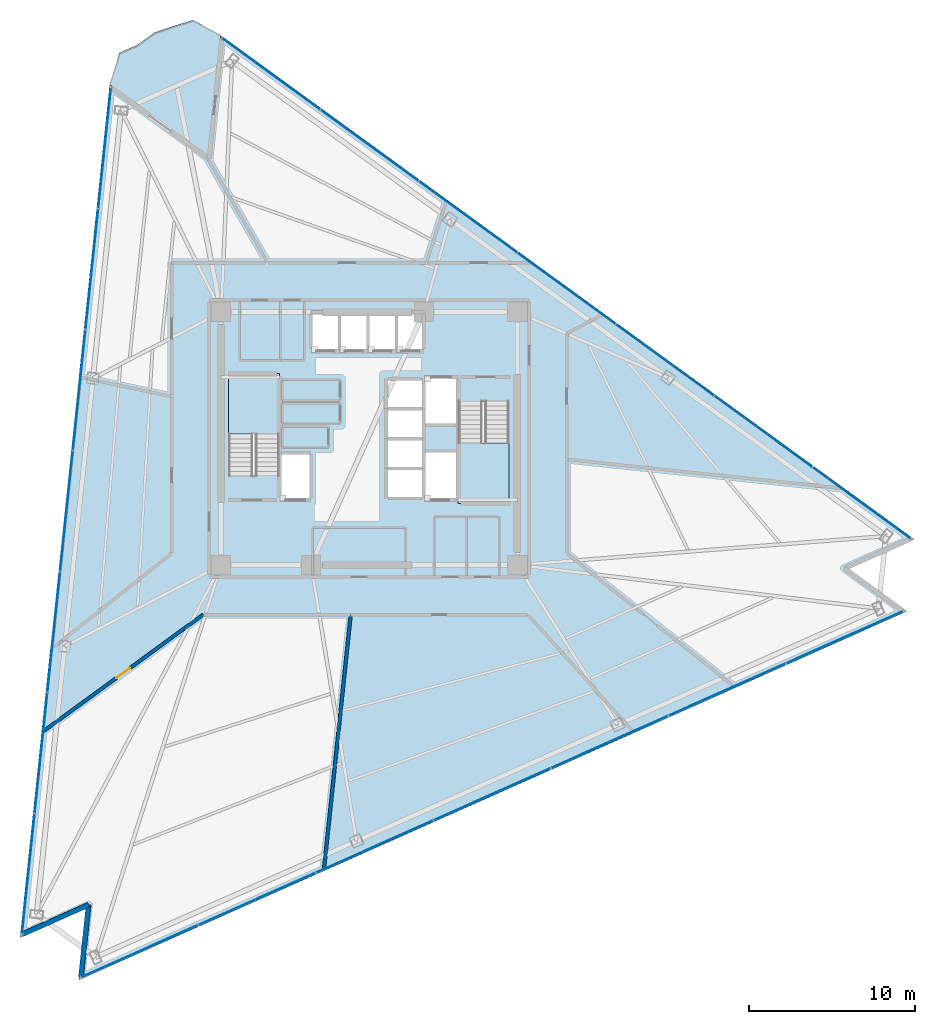
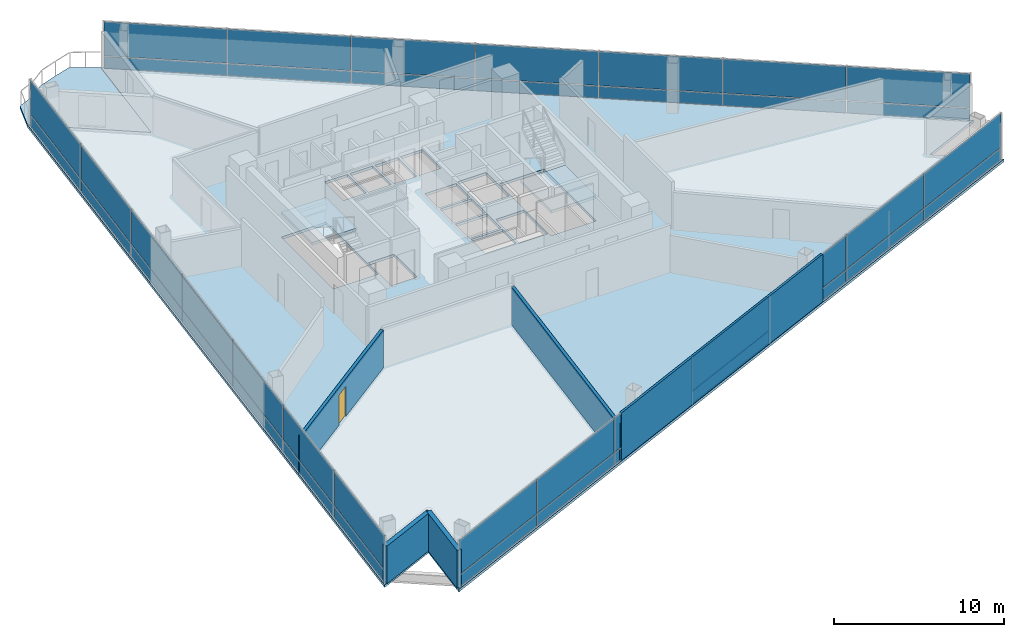
# One storey, part 10 of 19: 42 plates, 5 walls, 4 slabs, 1 door, 1 opening, 5 elements without a shape of their own.
"""IFC4 building model written with IfcOpenShell, lengths in metres."""

from ifc_helpers import new_model, si_unit, direction, frame, frame_2d, origin, origin_2d, place, context, subcontext, project, spatial, polyline, rectangle, outline, extrude, material, layer, layer_set, type_object, element, fill, aggregate, save


model = new_model("IFC4")

# Units and contexts
model_context = context("Model", 3, precision=1e-05, world=origin(), true_north=direction((0.0, 1.0)))
body_context = subcontext(model_context, "Body", "Model", "MODEL_VIEW")
ifc_project = project(units=[si_unit("LENGTHUNIT", "METRE"), si_unit("AREAUNIT", "SQUARE_METRE"), si_unit("VOLUMEUNIT", "CUBIC_METRE"), si_unit("PLANEANGLEUNIT", "RADIAN"), si_unit("MASSUNIT", "GRAM", prefix="KILO")], contexts=[model_context])

# Site, building, storey
site_placement = place(None, origin())
site = spatial("IfcSite", under=ifc_project, at=site_placement, CompositionType="ELEMENT")
building_placement = place(site_placement, origin())
building = spatial("IfcBuilding", under=site, at=building_placement, Name="Tharavind Bronze Gate", CompositionType="ELEMENT")
storey_placement = place(building_placement, frame((0.0, 0.0, 116.050048828125)))
storey = spatial("IfcBuildingStorey", under=building, at=storey_placement, Name="L29", CompositionType="ELEMENT", Elevation=116.050048828125)

# Curtain wall, plates
ifc_material_1 = material(Name="Anodised Bronze Aluminium", Category="aluminium")
ifc_layer_1 = layer(ifc_material_1, 0.219970703125)
ifc_layer_set_1 = layer_set([ifc_layer_1], Name="Anodised Bronze Aluminium")
curtain_wall_type = type_object("IfcCurtainWallType", Name="UNITISED CURTAIN WALL LOWER OFFICE", PredefinedType="USERDEFINED", material=ifc_layer_set_1)
curtain_wall_1_placement = place(storey_placement, origin())
curtain_wall_1 = element("IfcCurtainWall", 1, at=curtain_wall_1_placement, inside=storey, type_object=curtain_wall_type, Name="L29 unitised curtain wall lower office CW-L29-S1", ObjectType="UNITISED CURTAIN WALL", PredefinedType="USERDEFINED")
ifc_material_2 = material(Name="Patinated Bronze Alloy Sheet", Category="bronze")
ifc_layer_2 = layer(ifc_material_2, 0.01611328125)
ifc_layer_set_2 = layer_set([ifc_layer_2], Name="Patinated Bronze Alloy Sheet")
plate_type_1 = type_object("IfcPlateType", Name="BRONZE SPANDREL CLADDING PANEL 16", PredefinedType="CURTAIN_PANEL", material=ifc_layer_set_2)
plate_1_placement = place(storey_placement, frame((-15.909912109375, 17.465087890625, 0.0263671875), z_axis=(0.0, 0.0, 1.0), x_axis=(-0.104526727499, -0.994522077803, 0.0)))
plate_1 = element("IfcPlate", 2, at=plate_1_placement, type_object=plate_type_1, Name="CW-L29-S1 bronze spandrel panel 1", PredefinedType="CURTAIN_PANEL", context=body_context, shape_type="SweptSolid", body=[
    extrude(rectangle(XDim=7.26025390625, YDim=0.01611328125, at=origin_2d()), origin(), (0.0, 0.0, 1.0), 0.846923828125),
])
plate_2_placement = place(storey_placement, frame((-16.67431640625, 10.19189453125, 0.0263671875), z_axis=(0.0, 0.0, 1.0), x_axis=(-0.104526727499, -0.994522077803, 0.0)))
plate_2 = element("IfcPlate", 3, at=plate_2_placement, type_object=plate_type_1, Name="CW-L29-S1 bronze spandrel panel 2", PredefinedType="CURTAIN_PANEL", context=body_context, shape_type="SweptSolid", body=[
    extrude(rectangle(XDim=7.26025390625, YDim=0.01611328125, at=origin_2d()), origin(), (0.0, 0.0, 1.0), 0.846923828125),
])
plate_3_placement = place(storey_placement, frame((-17.438720703125, 2.91845703125, 0.0263671875), z_axis=(0.0, 0.0, 1.0), x_axis=(-0.104526727499, -0.994522077803, 0.0)))
plate_3 = element("IfcPlate", 4, at=plate_3_placement, type_object=plate_type_1, Name="CW-L29-S1 bronze spandrel panel 3", PredefinedType="CURTAIN_PANEL", context=body_context, shape_type="SweptSolid", body=[
    extrude(rectangle(XDim=7.26025390625, YDim=0.01611328125, at=origin_2d()), origin(), (0.0, 0.0, 1.0), 0.846923828125),
])
plate_4_placement = place(storey_placement, frame((-18.203125, -4.354736328125, 0.0263671875), z_axis=(0.0, 0.0, 1.0), x_axis=(-0.104526727499, -0.994522077803, 0.0)))
plate_4 = element("IfcPlate", 5, at=plate_4_placement, type_object=plate_type_1, Name="CW-L29-S1 bronze spandrel panel 4", PredefinedType="CURTAIN_PANEL", context=body_context, shape_type="SweptSolid", body=[
    extrude(rectangle(XDim=7.26025390625, YDim=0.01611328125, at=origin_2d()), origin(), (0.0, 0.0, 1.0), 0.846923828125),
])
plate_5_placement = place(storey_placement, frame((-18.967529296875, -11.628173828125, 0.0263671875), z_axis=(0.0, 0.0, 1.0), x_axis=(-0.104526727499, -0.994522077803, 0.0)))
plate_5 = element("IfcPlate", 6, at=plate_5_placement, type_object=plate_type_1, Name="CW-L29-S1 bronze spandrel panel 5", PredefinedType="CURTAIN_PANEL", context=body_context, shape_type="SweptSolid", body=[
    extrude(rectangle(XDim=7.26025390625, YDim=0.01611328125, at=origin_2d()), origin(), (0.0, 0.0, 1.0), 0.846923828125),
])
plate_6_placement = place(storey_placement, frame((-19.73193359375, -18.9013671875, 0.0263671875), z_axis=(0.0, 0.0, 1.0), x_axis=(-0.104526727499, -0.994522077803, 0.0)))
plate_6 = element("IfcPlate", 7, at=plate_6_placement, type_object=plate_type_1, Name="CW-L29-S1 bronze spandrel panel 6", PredefinedType="CURTAIN_PANEL", context=body_context, shape_type="SweptSolid", body=[
    extrude(rectangle(XDim=7.26025390625, YDim=0.01611328125, at=origin_2d()), origin(), (0.0, 0.0, 1.0), 0.846923828125),
])
plate_7_placement = place(storey_placement, frame((-20.49658203125, -26.1748046875, 0.0263671875), z_axis=(0.0, 0.0, 1.0), x_axis=(-0.104526727499, -0.994522077803, 0.0)))
plate_7 = element("IfcPlate", 8, at=plate_7_placement, type_object=plate_type_1, Name="CW-L29-S1 bronze spandrel panel 7", PredefinedType="CURTAIN_PANEL", context=body_context, shape_type="SweptSolid", body=[
    extrude(rectangle(XDim=7.26025390625, YDim=0.01611328125, at=origin_2d()), origin(), (0.0, 0.0, 1.0), 0.846923828125),
])

curtain_wall_2_placement = place(storey_placement, origin())
curtain_wall_2 = element("IfcCurtainWall", 9, at=curtain_wall_2_placement, inside=storey, type_object=curtain_wall_type, Name="L29 unitised curtain wall lower office CW-L29-S2", ObjectType="UNITISED CURTAIN WALL", PredefinedType="USERDEFINED")
plate_8_placement = place(storey_placement, frame((-13.80419921875, -30.813720703125, 0.0263671875), z_axis=(0.0, 0.0, 1.0), x_axis=(0.913545457643, 0.406736643076, 0.0)))
plate_8 = element("IfcPlate", 10, at=plate_8_placement, type_object=plate_type_1, Name="CW-L29-S2 bronze spandrel panel 1", PredefinedType="CURTAIN_PANEL", context=body_context, shape_type="SweptSolid", body=[
    extrude(rectangle(XDim=7.677490234375, YDim=0.01611328125, at=origin_2d()), origin(), (0.0, 0.0, 1.0), 0.846923828125),
])
plate_9_placement = place(storey_placement, frame((-6.741943359375, -27.66943359375, 0.0263671875), z_axis=(0.0, 0.0, 1.0), x_axis=(0.913545457643, 0.406736643076, 0.0)))
plate_9 = element("IfcPlate", 11, at=plate_9_placement, type_object=plate_type_1, Name="CW-L29-S2 bronze spandrel panel 2", PredefinedType="CURTAIN_PANEL", context=body_context, shape_type="SweptSolid", body=[
    extrude(rectangle(XDim=7.677490234375, YDim=0.01611328125, at=origin_2d()), origin(), (0.0, 0.0, 1.0), 0.846923828125),
])
plate_10_placement = place(storey_placement, frame((0.3203125, -24.525146484375, 0.0263671875), z_axis=(0.0, 0.0, 1.0), x_axis=(0.913545457643, 0.406736643076, 0.0)))
plate_10 = element("IfcPlate", 12, at=plate_10_placement, type_object=plate_type_1, Name="CW-L29-S2 bronze spandrel panel 3", PredefinedType="CURTAIN_PANEL", context=body_context, shape_type="SweptSolid", body=[
    extrude(rectangle(XDim=7.677490234375, YDim=0.01611328125, at=origin_2d()), origin(), (0.0, 0.0, 1.0), 0.846923828125),
])
plate_11_placement = place(storey_placement, frame((7.38232421875, -21.380859375, 0.0263671875), z_axis=(0.0, 0.0, 1.0), x_axis=(0.913545457643, 0.406736643076, 0.0)))
plate_11 = element("IfcPlate", 13, at=plate_11_placement, type_object=plate_type_1, Name="CW-L29-S2 bronze spandrel panel 4", PredefinedType="CURTAIN_PANEL", context=body_context, shape_type="SweptSolid", body=[
    extrude(rectangle(XDim=7.677490234375, YDim=0.01611328125, at=origin_2d()), origin(), (0.0, 0.0, 1.0), 0.846923828125),
])
plate_12_placement = place(storey_placement, frame((14.4443359375, -18.236572265625, 0.0263671875), z_axis=(0.0, 0.0, 1.0), x_axis=(0.913545457643, 0.406736643076, 0.0)))
plate_12 = element("IfcPlate", 14, at=plate_12_placement, type_object=plate_type_1, Name="CW-L29-S2 bronze spandrel panel 5", PredefinedType="CURTAIN_PANEL", context=body_context, shape_type="SweptSolid", body=[
    extrude(rectangle(XDim=7.677490234375, YDim=0.01611328125, at=origin_2d()), origin(), (0.0, 0.0, 1.0), 0.846923828125),
])
plate_13_placement = place(storey_placement, frame((21.506591796875, -15.09228515625, 0.0263671875), z_axis=(0.0, 0.0, 1.0), x_axis=(0.913545457643, 0.406736643076, 0.0)))
plate_13 = element("IfcPlate", 15, at=plate_13_placement, type_object=plate_type_1, Name="CW-L29-S2 bronze spandrel panel 6", PredefinedType="CURTAIN_PANEL", context=body_context, shape_type="SweptSolid", body=[
    extrude(rectangle(XDim=7.677490234375, YDim=0.01611328125, at=origin_2d()), origin(), (0.0, 0.0, 1.0), 0.846923828125),
])
plate_14_placement = place(storey_placement, frame((28.568603515625, -11.947998046875, 0.0263671875), z_axis=(0.0, 0.0, 1.0), x_axis=(0.913545457643, 0.406736643076, 0.0)))
plate_14 = element("IfcPlate", 16, at=plate_14_placement, type_object=plate_type_1, Name="CW-L29-S2 bronze spandrel panel 7", PredefinedType="CURTAIN_PANEL", context=body_context, shape_type="SweptSolid", body=[
    extrude(rectangle(XDim=7.677490234375, YDim=0.01611328125, at=origin_2d()), origin(), (0.0, 0.0, 1.0), 0.846923828125),
])

curtain_wall_3_placement = place(storey_placement, origin())
curtain_wall_3 = element("IfcCurtainWall", 17, at=curtain_wall_3_placement, inside=storey, type_object=curtain_wall_type, Name="L29 unitised curtain wall lower office CW-L29-S3", ObjectType="UNITISED CURTAIN WALL", PredefinedType="USERDEFINED")
plate_15_placement = place(storey_placement, frame((29.599365234375, -3.87060546875, 0.0263671875), z_axis=(0.0, 0.0, 1.0), x_axis=(-0.809016994375, 0.587785252292, 0.0)))
plate_15 = element("IfcPlate", 18, at=plate_15_placement, type_object=plate_type_1, Name="CW-L29-S3 bronze spandrel panel 1", PredefinedType="CURTAIN_PANEL", context=body_context, shape_type="SweptSolid", body=[
    extrude(rectangle(XDim=7.260498046875, YDim=0.01611328125, at=origin_2d()), origin(), (0.0, 0.0, 1.0), 0.846923828125),
])
plate_16_placement = place(storey_placement, frame((23.6826171875, 0.427978515625, 0.0263671875), z_axis=(0.0, 0.0, 1.0), x_axis=(-0.809016994375, 0.587785252292, 0.0)))
plate_16 = element("IfcPlate", 19, at=plate_16_placement, type_object=plate_type_1, Name="CW-L29-S3 bronze spandrel panel 2", PredefinedType="CURTAIN_PANEL", context=body_context, shape_type="SweptSolid", body=[
    extrude(rectangle(XDim=7.260498046875, YDim=0.01611328125, at=origin_2d()), origin(), (0.0, 0.0, 1.0), 0.846923828125),
])
plate_17_placement = place(storey_placement, frame((17.76611328125, 4.726806640625, 0.0263671875), z_axis=(0.0, 0.0, 1.0), x_axis=(-0.809016994375, 0.587785252292, 0.0)))
plate_17 = element("IfcPlate", 20, at=plate_17_placement, type_object=plate_type_1, Name="CW-L29-S3 bronze spandrel panel 3", PredefinedType="CURTAIN_PANEL", context=body_context, shape_type="SweptSolid", body=[
    extrude(rectangle(XDim=7.260498046875, YDim=0.01611328125, at=origin_2d()), origin(), (0.0, 0.0, 1.0), 0.846923828125),
])
plate_18_placement = place(storey_placement, frame((11.849365234375, 9.025390625, 0.0263671875), z_axis=(0.0, 0.0, 1.0), x_axis=(-0.809016994375, 0.587785252292, 0.0)))
plate_18 = element("IfcPlate", 21, at=plate_18_placement, type_object=plate_type_1, Name="CW-L29-S3 bronze spandrel panel 4", PredefinedType="CURTAIN_PANEL", context=body_context, shape_type="SweptSolid", body=[
    extrude(rectangle(XDim=7.260498046875, YDim=0.01611328125, at=origin_2d()), origin(), (0.0, 0.0, 1.0), 0.846923828125),
])
plate_19_placement = place(storey_placement, frame((5.932861328125, 13.32421875, 0.0263671875), z_axis=(0.0, 0.0, 1.0), x_axis=(-0.809016994375, 0.587785252292, 0.0)))
plate_19 = element("IfcPlate", 22, at=plate_19_placement, type_object=plate_type_1, Name="CW-L29-S3 bronze spandrel panel 5", PredefinedType="CURTAIN_PANEL", context=body_context, shape_type="SweptSolid", body=[
    extrude(rectangle(XDim=7.260498046875, YDim=0.01611328125, at=origin_2d()), origin(), (0.0, 0.0, 1.0), 0.846923828125),
])
plate_20_placement = place(storey_placement, frame((0.01611328125, 17.622802734375, 0.0263671875), z_axis=(0.0, 0.0, 1.0), x_axis=(-0.809016994375, 0.587785252292, 0.0)))
plate_20 = element("IfcPlate", 23, at=plate_20_placement, type_object=plate_type_1, Name="CW-L29-S3 bronze spandrel panel 6", PredefinedType="CURTAIN_PANEL", context=body_context, shape_type="SweptSolid", body=[
    extrude(rectangle(XDim=7.260498046875, YDim=0.01611328125, at=origin_2d()), origin(), (0.0, 0.0, 1.0), 0.846923828125),
])
plate_21_placement = place(storey_placement, frame((-5.900390625, 21.921630859375, 0.0263671875), z_axis=(0.0, 0.0, 1.0), x_axis=(-0.809016994375, 0.587785252292, 0.0)))
plate_21 = element("IfcPlate", 24, at=plate_21_placement, type_object=plate_type_1, Name="CW-L29-S3 bronze spandrel panel 7", PredefinedType="CURTAIN_PANEL", context=body_context, shape_type="SweptSolid", body=[
    extrude(rectangle(XDim=7.260498046875, YDim=0.01611328125, at=origin_2d()), origin(), (0.0, 0.0, 1.0), 0.846923828125),
])

# Plate
ifc_material_3 = material(Name="Low-E Double Glazing", Category="glass")
ifc_layer_3 = layer(ifc_material_3, 0.031982421875)
ifc_layer_set_3 = layer_set([ifc_layer_3], Name="Low-E Double Glazing")
plate_type_2 = type_object("IfcPlateType", Name="DOUBLE GLAZED FACADE PANEL 32", PredefinedType="CURTAIN_PANEL", material=ifc_layer_set_3)
plate_22_placement = place(storey_placement, frame((-15.909912109375, 17.465087890625, 0.926513671875), z_axis=(0.0, 0.0, 1.0), x_axis=(-0.104526727499, -0.994522077803, 0.0)))
plate_22 = element("IfcPlate", 25, at=plate_22_placement, type_object=plate_type_2, Name="CW-L29-S1 vision glazing panel 1", PredefinedType="CURTAIN_PANEL", context=body_context, shape_type="SweptSolid", body=[
    extrude(rectangle(XDim=7.26025390625, YDim=0.031982421875, at=origin_2d()), origin(), (0.0, 0.0, 1.0), 2.45703125),
])

plate_23_placement = place(storey_placement, frame((-16.67431640625, 10.19189453125, 0.926513671875), z_axis=(0.0, 0.0, 1.0), x_axis=(-0.104526727499, -0.994522077803, 0.0)))
plate_23 = element("IfcPlate", 26, at=plate_23_placement, type_object=plate_type_2, Name="CW-L29-S1 vision glazing panel 2", PredefinedType="CURTAIN_PANEL", context=body_context, shape_type="SweptSolid", body=[
    extrude(rectangle(XDim=7.26025390625, YDim=0.031982421875, at=origin_2d()), origin(), (0.0, 0.0, 1.0), 2.45703125),
])

plate_24_placement = place(storey_placement, frame((-17.438720703125, 2.91845703125, 0.926513671875), z_axis=(0.0, 0.0, 1.0), x_axis=(-0.104526727499, -0.994522077803, 0.0)))
plate_24 = element("IfcPlate", 27, at=plate_24_placement, type_object=plate_type_2, Name="CW-L29-S1 vision glazing panel 3", PredefinedType="CURTAIN_PANEL", context=body_context, shape_type="SweptSolid", body=[
    extrude(rectangle(XDim=7.26025390625, YDim=0.031982421875, at=origin_2d()), origin(), (0.0, 0.0, 1.0), 2.45703125),
])

plate_25_placement = place(storey_placement, frame((-18.203125, -4.354736328125, 0.926513671875), z_axis=(0.0, 0.0, 1.0), x_axis=(-0.104526727499, -0.994522077803, 0.0)))
plate_25 = element("IfcPlate", 28, at=plate_25_placement, type_object=plate_type_2, Name="CW-L29-S1 vision glazing panel 4", PredefinedType="CURTAIN_PANEL", context=body_context, shape_type="SweptSolid", body=[
    extrude(rectangle(XDim=7.26025390625, YDim=0.031982421875, at=origin_2d()), origin(), (0.0, 0.0, 1.0), 2.45703125),
])

plate_26_placement = place(storey_placement, frame((-18.967529296875, -11.628173828125, 0.926513671875), z_axis=(0.0, 0.0, 1.0), x_axis=(-0.104526727499, -0.994522077803, 0.0)))
plate_26 = element("IfcPlate", 29, at=plate_26_placement, type_object=plate_type_2, Name="CW-L29-S1 vision glazing panel 5", PredefinedType="CURTAIN_PANEL", context=body_context, shape_type="SweptSolid", body=[
    extrude(rectangle(XDim=7.26025390625, YDim=0.031982421875, at=origin_2d()), origin(), (0.0, 0.0, 1.0), 2.45703125),
])

plate_27_placement = place(storey_placement, frame((-19.73193359375, -18.9013671875, 0.926513671875), z_axis=(0.0, 0.0, 1.0), x_axis=(-0.104526727499, -0.994522077803, 0.0)))
plate_27 = element("IfcPlate", 30, at=plate_27_placement, type_object=plate_type_2, Name="CW-L29-S1 vision glazing panel 6", PredefinedType="CURTAIN_PANEL", context=body_context, shape_type="SweptSolid", body=[
    extrude(rectangle(XDim=7.26025390625, YDim=0.031982421875, at=origin_2d()), origin(), (0.0, 0.0, 1.0), 2.45703125),
])

plate_28_placement = place(storey_placement, frame((-20.49658203125, -26.1748046875, 0.926513671875), z_axis=(0.0, 0.0, 1.0), x_axis=(-0.104526727499, -0.994522077803, 0.0)))
plate_28 = element("IfcPlate", 31, at=plate_28_placement, type_object=plate_type_2, Name="CW-L29-S1 vision glazing panel 7", PredefinedType="CURTAIN_PANEL", context=body_context, shape_type="SweptSolid", body=[
    extrude(rectangle(XDim=7.26025390625, YDim=0.031982421875, at=origin_2d()), origin(), (0.0, 0.0, 1.0), 2.45703125),
])

aggregate(curtain_wall_1, [plate_1, plate_22, plate_2, plate_23, plate_3, plate_24, plate_4, plate_25, plate_5, plate_26, plate_6, plate_27, plate_7, plate_28])

plate_29_placement = place(storey_placement, frame((-13.80419921875, -30.813720703125, 0.926513671875), z_axis=(0.0, 0.0, 1.0), x_axis=(0.913545457643, 0.406736643076, 0.0)))
plate_29 = element("IfcPlate", 32, at=plate_29_placement, type_object=plate_type_2, Name="CW-L29-S2 vision glazing panel 1", PredefinedType="CURTAIN_PANEL", context=body_context, shape_type="SweptSolid", body=[
    extrude(rectangle(XDim=7.677490234375, YDim=0.031982421875, at=origin_2d()), origin(), (0.0, 0.0, 1.0), 2.45703125),
])

plate_30_placement = place(storey_placement, frame((-6.741943359375, -27.66943359375, 0.926513671875), z_axis=(0.0, 0.0, 1.0), x_axis=(0.913545457643, 0.406736643076, 0.0)))
plate_30 = element("IfcPlate", 33, at=plate_30_placement, type_object=plate_type_2, Name="CW-L29-S2 vision glazing panel 2", PredefinedType="CURTAIN_PANEL", context=body_context, shape_type="SweptSolid", body=[
    extrude(rectangle(XDim=7.677490234375, YDim=0.031982421875, at=origin_2d()), origin(), (0.0, 0.0, 1.0), 2.45703125),
])

plate_31_placement = place(storey_placement, frame((0.3203125, -24.525146484375, 0.926513671875), z_axis=(0.0, 0.0, 1.0), x_axis=(0.913545457643, 0.406736643076, 0.0)))
plate_31 = element("IfcPlate", 34, at=plate_31_placement, type_object=plate_type_2, Name="CW-L29-S2 vision glazing panel 3", PredefinedType="CURTAIN_PANEL", context=body_context, shape_type="SweptSolid", body=[
    extrude(rectangle(XDim=7.677490234375, YDim=0.031982421875, at=origin_2d()), origin(), (0.0, 0.0, 1.0), 2.45703125),
])

plate_32_placement = place(storey_placement, frame((7.38232421875, -21.380859375, 0.926513671875), z_axis=(0.0, 0.0, 1.0), x_axis=(0.913545457643, 0.406736643076, 0.0)))
plate_32 = element("IfcPlate", 35, at=plate_32_placement, type_object=plate_type_2, Name="CW-L29-S2 vision glazing panel 4", PredefinedType="CURTAIN_PANEL", context=body_context, shape_type="SweptSolid", body=[
    extrude(rectangle(XDim=7.677490234375, YDim=0.031982421875, at=origin_2d()), origin(), (0.0, 0.0, 1.0), 2.45703125),
])

plate_33_placement = place(storey_placement, frame((14.4443359375, -18.236572265625, 0.926513671875), z_axis=(0.0, 0.0, 1.0), x_axis=(0.913545457643, 0.406736643076, 0.0)))
plate_33 = element("IfcPlate", 36, at=plate_33_placement, type_object=plate_type_2, Name="CW-L29-S2 vision glazing panel 5", PredefinedType="CURTAIN_PANEL", context=body_context, shape_type="SweptSolid", body=[
    extrude(rectangle(XDim=7.677490234375, YDim=0.031982421875, at=origin_2d()), origin(), (0.0, 0.0, 1.0), 2.45703125),
])

plate_34_placement = place(storey_placement, frame((21.506591796875, -15.09228515625, 0.926513671875), z_axis=(0.0, 0.0, 1.0), x_axis=(0.913545457643, 0.406736643076, 0.0)))
plate_34 = element("IfcPlate", 37, at=plate_34_placement, type_object=plate_type_2, Name="CW-L29-S2 vision glazing panel 6", PredefinedType="CURTAIN_PANEL", context=body_context, shape_type="SweptSolid", body=[
    extrude(rectangle(XDim=7.677490234375, YDim=0.031982421875, at=origin_2d()), origin(), (0.0, 0.0, 1.0), 2.45703125),
])

plate_35_placement = place(storey_placement, frame((28.568603515625, -11.947998046875, 0.926513671875), z_axis=(0.0, 0.0, 1.0), x_axis=(0.913545457643, 0.406736643076, 0.0)))
plate_35 = element("IfcPlate", 38, at=plate_35_placement, type_object=plate_type_2, Name="CW-L29-S2 vision glazing panel 7", PredefinedType="CURTAIN_PANEL", context=body_context, shape_type="SweptSolid", body=[
    extrude(rectangle(XDim=7.677490234375, YDim=0.031982421875, at=origin_2d()), origin(), (0.0, 0.0, 1.0), 2.45703125),
])

aggregate(curtain_wall_2, [plate_8, plate_29, plate_9, plate_30, plate_10, plate_31, plate_11, plate_32, plate_12, plate_33, plate_13, plate_34, plate_14, plate_35])

plate_36_placement = place(storey_placement, frame((29.599365234375, -3.87060546875, 0.926513671875), z_axis=(0.0, 0.0, 1.0), x_axis=(-0.809016994375, 0.587785252292, 0.0)))
plate_36 = element("IfcPlate", 39, at=plate_36_placement, type_object=plate_type_2, Name="CW-L29-S3 vision glazing panel 1", PredefinedType="CURTAIN_PANEL", context=body_context, shape_type="SweptSolid", body=[
    extrude(rectangle(XDim=7.260498046875, YDim=0.031982421875, at=origin_2d()), origin(), (0.0, 0.0, 1.0), 2.45703125),
])

plate_37_placement = place(storey_placement, frame((23.6826171875, 0.427978515625, 0.926513671875), z_axis=(0.0, 0.0, 1.0), x_axis=(-0.809016994375, 0.587785252292, 0.0)))
plate_37 = element("IfcPlate", 40, at=plate_37_placement, type_object=plate_type_2, Name="CW-L29-S3 vision glazing panel 2", PredefinedType="CURTAIN_PANEL", context=body_context, shape_type="SweptSolid", body=[
    extrude(rectangle(XDim=7.260498046875, YDim=0.031982421875, at=origin_2d()), origin(), (0.0, 0.0, 1.0), 2.45703125),
])

plate_38_placement = place(storey_placement, frame((17.76611328125, 4.726806640625, 0.926513671875), z_axis=(0.0, 0.0, 1.0), x_axis=(-0.809016994375, 0.587785252292, 0.0)))
plate_38 = element("IfcPlate", 41, at=plate_38_placement, type_object=plate_type_2, Name="CW-L29-S3 vision glazing panel 3", PredefinedType="CURTAIN_PANEL", context=body_context, shape_type="SweptSolid", body=[
    extrude(rectangle(XDim=7.260498046875, YDim=0.031982421875, at=origin_2d()), origin(), (0.0, 0.0, 1.0), 2.45703125),
])

plate_39_placement = place(storey_placement, frame((11.849365234375, 9.025390625, 0.926513671875), z_axis=(0.0, 0.0, 1.0), x_axis=(-0.809016994375, 0.587785252292, 0.0)))
plate_39 = element("IfcPlate", 42, at=plate_39_placement, type_object=plate_type_2, Name="CW-L29-S3 vision glazing panel 4", PredefinedType="CURTAIN_PANEL", context=body_context, shape_type="SweptSolid", body=[
    extrude(rectangle(XDim=7.260498046875, YDim=0.031982421875, at=origin_2d()), origin(), (0.0, 0.0, 1.0), 2.45703125),
])

plate_40_placement = place(storey_placement, frame((5.932861328125, 13.32421875, 0.926513671875), z_axis=(0.0, 0.0, 1.0), x_axis=(-0.809016994375, 0.587785252292, 0.0)))
plate_40 = element("IfcPlate", 43, at=plate_40_placement, type_object=plate_type_2, Name="CW-L29-S3 vision glazing panel 5", PredefinedType="CURTAIN_PANEL", context=body_context, shape_type="SweptSolid", body=[
    extrude(rectangle(XDim=7.260498046875, YDim=0.031982421875, at=origin_2d()), origin(), (0.0, 0.0, 1.0), 2.45703125),
])

plate_41_placement = place(storey_placement, frame((0.01611328125, 17.622802734375, 0.926513671875), z_axis=(0.0, 0.0, 1.0), x_axis=(-0.809016994375, 0.587785252292, 0.0)))
plate_41 = element("IfcPlate", 44, at=plate_41_placement, type_object=plate_type_2, Name="CW-L29-S3 vision glazing panel 6", PredefinedType="CURTAIN_PANEL", context=body_context, shape_type="SweptSolid", body=[
    extrude(rectangle(XDim=7.260498046875, YDim=0.031982421875, at=origin_2d()), origin(), (0.0, 0.0, 1.0), 2.45703125),
])

plate_42_placement = place(storey_placement, frame((-5.900390625, 21.921630859375, 0.926513671875), z_axis=(0.0, 0.0, 1.0), x_axis=(-0.809016994375, 0.587785252292, 0.0)))
plate_42 = element("IfcPlate", 45, at=plate_42_placement, type_object=plate_type_2, Name="CW-L29-S3 vision glazing panel 7", PredefinedType="CURTAIN_PANEL", context=body_context, shape_type="SweptSolid", body=[
    extrude(rectangle(XDim=7.260498046875, YDim=0.031982421875, at=origin_2d()), origin(), (0.0, 0.0, 1.0), 2.45703125),
])

aggregate(curtain_wall_3, [plate_15, plate_36, plate_16, plate_37, plate_17, plate_38, plate_18, plate_39, plate_19, plate_40, plate_20, plate_41, plate_21, plate_42])

# Slab
ifc_material_4 = material(Name="Concrete C40/50", Category="concrete")
ifc_layer_4 = layer(ifc_material_4, 0.179931640625)
ifc_layer_set_4 = layer_set([ifc_layer_4], Name="Concrete C40/50")
slab_type_1 = type_object("IfcSlabType", Name="EXTERIOR BALCONY SLAB 180", PredefinedType="FLOOR", material=ifc_layer_set_4)
slab_1_placement = place(storey_placement, frame((0.0, 0.0, -0.179931640625)))
element("IfcSlab", 46, at=slab_1_placement, inside=storey, type_object=slab_type_1, Name="L29 northeast tree balcony slab", PredefinedType="FLOOR", context=body_context, shape_type="SweptSolid", body=[
    extrude(outline(polyline([(-10.579833984375, 25.165283203125), (-11.75146484375, 24.8056640625), (-12.90869140625, 24.413330078125), (-13.914306640625, 23.680908203125), (-15.02587890625, 23.18603515625), (-15.60888671875, 21.284423828125), (-9.703125, 16.99365234375), (-8.940185546875, 24.253662109375), (-10.579833984375, 25.165283203125)])), origin(), (0.0, 0.0, 1.0), 0.179931640625),
])

# Stair, slab
stair_type = type_object("IfcStairType", Name="CORE HALF TURN STAIR 1450", PredefinedType="HALF_TURN_STAIR", material=ifc_material_4)
stair_1_placement = place(storey_placement, origin())
stair_1 = element("IfcStair", 47, at=stair_1_placement, inside=storey, type_object=stair_type, Name="L29 Protected Exit Stair ST1", PredefinedType="HALF_TURN_STAIR")
ifc_layer_5 = layer(ifc_material_4, 0.199951171875)
ifc_layer_set_5 = layer_set([ifc_layer_5], Name="Concrete C40/50")
slab_type_2 = type_object("IfcSlabType", Name="STAIR LANDING SLAB 200", PredefinedType="LANDING", material=ifc_layer_set_5)
slab_2_placement = place(storey_placement, frame((0.0, 0.0, 1.599853515625)))
slab_2 = element("IfcSlab", 48, at=slab_2_placement, type_object=slab_type_2, Name="ST1 landing 1", PredefinedType="LANDING", context=body_context, shape_type="SweptSolid", body=[
    extrude(outline(polyline([(-5.39990234375, 0.27001953125), (-5.39990234375, 3.89990234375), (-8.449951171875, 3.89990234375), (-8.449951171875, 0.27001953125), (-5.39990234375, 0.27001953125)])), origin(), (0.0, 0.0, 1.0), 0.2001953125),
])
aggregate(stair_1, [slab_2])

stair_2_placement = place(storey_placement, origin())
stair_2 = element("IfcStair", 49, at=stair_2_placement, inside=storey, type_object=stair_type, Name="L29 Protected Exit Stair ST2", PredefinedType="HALF_TURN_STAIR")
slab_3_placement = place(storey_placement, frame((0.0, 0.0, 1.599853515625)))
slab_3 = element("IfcSlab", 50, at=slab_3_placement, type_object=slab_type_2, Name="ST2 landing 1", PredefinedType="LANDING", context=body_context, shape_type="SweptSolid", body=[
    extrude(outline(polyline([(5.35009765625, -0.27001953125), (5.35009765625, -3.89990234375), (8.39990234375, -3.89990234375), (8.39990234375, -0.27001953125), (5.35009765625, -0.27001953125)])), origin(), (0.0, 0.0, 1.0), 0.2001953125),
])
aggregate(stair_2, [slab_3])

# Slab
ifc_layer_6 = layer(ifc_material_4, 0.18994140625)
ifc_layer_set_6 = layer_set([ifc_layer_6], Name="Concrete C40/50")
slab_type_3 = type_object("IfcSlabType", Name="STRUCTURAL FLOOR SLAB 190", PredefinedType="FLOOR", material=ifc_layer_set_6)
slab_4_placement = place(storey_placement, frame((0.0, 0.0, -0.18994140625)))
element("IfcSlab", 51, at=slab_4_placement, inside=storey, type_object=slab_type_3, Name="L29 main structural floor slab", PredefinedType="FLOOR", context=body_context, shape_type="SweptSolid", body=[
    extrude(outline(polyline([(-8.940185546875, 24.253662109375), (-9.703125, 16.99365234375), (-15.60888671875, 21.284423828125), (-20.996337890625, -29.97314453125), (-16.9951171875, -28.191650390625), (-17.452880859375, -32.547607421875), (32.298583984375, -10.396728515625), (28.755126953125, -7.822265625), (32.756591796875, -6.040771484375), (-8.940185546875, 24.253662109375)]), holes=[polyline([(-5.39990234375, -2.215087890625), (-5.39990234375, 3.89990234375), (-8.449951171875, 3.89990234375), (-8.449951171875, -2.215087890625), (-5.39990234375, -2.215087890625)]), polyline([(5.35009765625, 2.215087890625), (5.35009765625, -3.89990234375), (8.39990234375, -3.89990234375), (8.39990234375, 2.215087890625), (5.35009765625, 2.215087890625)]), polyline([(-3.419921875, 5.330078125), (-1.867431640625, 5.330078125), (-1.867431640625, 7.52001953125), (-3.419921875, 7.52001953125), (-3.419921875, 5.330078125)]), polyline([(-1.70751953125, 5.330078125), (-0.155029296875, 5.330078125), (-0.155029296875, 7.52001953125), (-1.70751953125, 7.52001953125), (-1.70751953125, 5.330078125)]), polyline([(0.0048828125, 5.330078125), (1.5576171875, 5.330078125), (1.5576171875, 7.52001953125), (0.0048828125, 7.52001953125), (0.0048828125, 5.330078125)]), polyline([(1.717529296875, 5.330078125), (3.199951171875, 5.330078125), (3.199951171875, 7.52001953125), (1.717529296875, 7.52001953125), (1.717529296875, 5.330078125)]), polyline([(1.080078125, -3.52001953125), (3.199951171875, -3.52001953125), (3.199951171875, -1.8798828125), (1.080078125, -1.8798828125), (1.080078125, -3.52001953125)]), polyline([(1.080078125, -1.719970703125), (3.199951171875, -1.719970703125), (3.199951171875, -0.080078125), (1.080078125, -0.080078125), (1.080078125, -1.719970703125)]), polyline([(1.080078125, 0.080078125), (3.199951171875, 0.080078125), (3.199951171875, 1.719970703125), (1.080078125, 1.719970703125), (1.080078125, 0.080078125)]), polyline([(1.080078125, 1.8798828125), (3.199951171875, 1.8798828125), (3.199951171875, 3.52001953125), (1.080078125, 3.52001953125), (1.080078125, 1.8798828125)]), polyline([(-5.320068359375, -3.6201171875), (-3.580078125, -3.6201171875), (-3.580078125, -0.929931640625), (-5.320068359375, -0.929931640625), (-5.320068359375, -3.6201171875)]), polyline([(3.360107421875, 0.8798828125), (5.27001953125, 0.8798828125), (5.27001953125, 3.6201171875), (3.360107421875, 3.6201171875), (3.360107421875, 0.8798828125)]), polyline([(3.360107421875, -3.6201171875), (5.27001953125, -3.6201171875), (5.27001953125, -0.830078125), (3.360107421875, -0.830078125), (3.360107421875, -3.6201171875)])]), origin(), (0.0, 0.0, 1.0), 0.18994140625),
])

# Walls
ifc_layer_7 = layer(ifc_material_4, 0.300048828125)
ifc_layer_set_7 = layer_set([ifc_layer_7], Name="Concrete C40/50")
wall_type_1 = type_object("IfcWallType", Name="EXTERIOR SPANDREL WALL 300", PredefinedType="STANDARD", material=ifc_layer_set_7)
for number, where, z_axis, x_axis, name in (
    (52, (-20.878662109375, -29.811279296875, 0.0), (0.0, 0.0, 1.0), (0.913542411385, 0.406743485013, 0.0), "L29 notch cheek wall 2A"),
    (53, (-16.87744140625, -28.02978515625, 0.0), (0.0, 0.0, 1.0), (-0.10451359066, -0.99452345843, 0.0), "L29 notch cheek wall 2B"),
):
    element("IfcWall", number, at=place(storey_placement, frame(where, z_axis=z_axis, x_axis=x_axis)), inside=storey, type_object=wall_type_1, Name=name, PredefinedType="STANDARD", context=body_context, shape_type="SweptSolid", body=[
        extrude(rectangle(XDim=4.3798828125, YDim=0.300048828125, at=frame_2d((2.18994140625, 0.0))), origin(), (0.0, 0.0, 1.0), 2.704833984375),
    ])
ifc_material_5 = material(Name="Aerated Concrete Block", Category="concrete")
ifc_layer_8 = layer(ifc_material_5, 0.199951171875)
ifc_layer_set_8 = layer_set([ifc_layer_8], Name="Aerated Concrete Block")
wall_type_2 = type_object("IfcWallType", Name="FIRE RATED PARTITION 200", PredefinedType="PARTITIONING", material=ifc_layer_set_8)
wall_1_placement = place(storey_placement, frame((-2.719970703125, -25.878662109375, 0.0), z_axis=(0.0, 0.0, 1.0), x_axis=(0.104519310708, 0.994522857299, 0.0)))
element("IfcWall", 54, at=wall_1_placement, inside=storey, type_object=wall_type_2, Name="L29 Public Restrooms Block partition", PredefinedType="PARTITIONING", context=body_context, shape_type="SweptSolid", body=[
    extrude(rectangle(XDim=15.360595703125, YDim=0.199951171875, at=frame_2d((7.68017578125, 0.0))), origin(), (0.0, 0.0, 1.0), 2.704833984375),
])

# Wall, opening, door
wall_2_placement = place(storey_placement, frame((-19.594970703125, -17.59619140625, 0.0), z_axis=(0.0, 0.0, 1.0), x_axis=(0.807843239946, 0.589397403857, 0.0)))
wall_2 = element("IfcWall", 55, at=wall_2_placement, inside=storey, type_object=wall_type_2, Name="L29 Operations Open Office partition", PredefinedType="PARTITIONING", context=body_context, shape_type="SweptSolid", body=[
    extrude(rectangle(XDim=11.89599609375, YDim=0.199951171875, at=frame_2d((5.947998046875, 0.0))), origin(), (0.0, 0.0, 1.0), 2.704833984375),
])
opening_placement = place(wall_2_placement, frame((5.447998046875, 0.0, 0.0)))
opening = element("IfcOpeningElement", 56, at=opening_placement, cuts=wall_2, Name="Opening ID04", PredefinedType="OPENING", context=body_context, shape_type="SweptSolid", body=[
    extrude(rectangle(XDim=1.0, YDim=2.14990234375, at=frame_2d((0.5, 1.074951171875))), frame((0.0, 0.11009765625, 0.0), z_axis=(0.0, -1.0, 0.0), x_axis=(1.0, 0.0, 0.0)), (0.0, 0.0, 1.0), 0.219951171875),
])
ifc_material_6 = material(Name="Bronze Framed Acoustic Timber", Category="wood")
door_type = type_object("IfcDoorType", Name="OFFICE TENANCY DOOR 1000X2150", OperationType="SINGLE_SWING_RIGHT", PredefinedType="DOOR", material=ifc_material_6)
door_placement = place(opening_placement, origin())
door = element("IfcDoor", 57, at=door_placement, inside=storey, type_object=door_type, Name="L29 Operations Open Office door", OperationType="SINGLE_SWING_RIGHT", OverallHeight=2.14990234375, OverallWidth=1.0, PredefinedType="DOOR", context=body_context, shape_type="SweptSolid", body=[
    extrude(rectangle(XDim=1.0, YDim=2.14990234375, at=frame_2d((0.5, 1.074951171875))), frame((0.0, 0.02490234375, 0.0), z_axis=(0.0, -1.0, 0.0), x_axis=(1.0, 0.0, 0.0)), (0.0, 0.0, 1.0), 0.050048828125),
])
fill(opening, door)

# Wall
ifc_material_7 = material(Name="Twin Stud Acoustic Gypsum", Category="gypsum")
ifc_layer_9 = layer(ifc_material_7, 0.14990234375)
ifc_layer_set_9 = layer_set([ifc_layer_9], Name="Twin Stud Acoustic Gypsum")
wall_type_3 = type_object("IfcWallType", Name="INTERIOR PARTITION WALL 150", PredefinedType="PARTITIONING", material=ifc_layer_set_9)
wall_3_placement = place(storey_placement, frame((15.75390625, -17.653564453125, 0.0), z_axis=(0.0, 0.0, 1.0), x_axis=(-0.913544896064, -0.406737904399, 0.0)))
element("IfcWall", 58, at=wall_3_placement, inside=storey, type_object=wall_type_3, Name="L29 Public Restrooms Block partition", PredefinedType="PARTITIONING", context=body_context, shape_type="SweptSolid", body=[
    extrude(rectangle(XDim=20.100830078125, YDim=0.14990234375, at=frame_2d((10.05029296875, 0.0))), origin(), (0.0, 0.0, 1.0), 3.409912109375),
])

save(model, "model.ifc")
